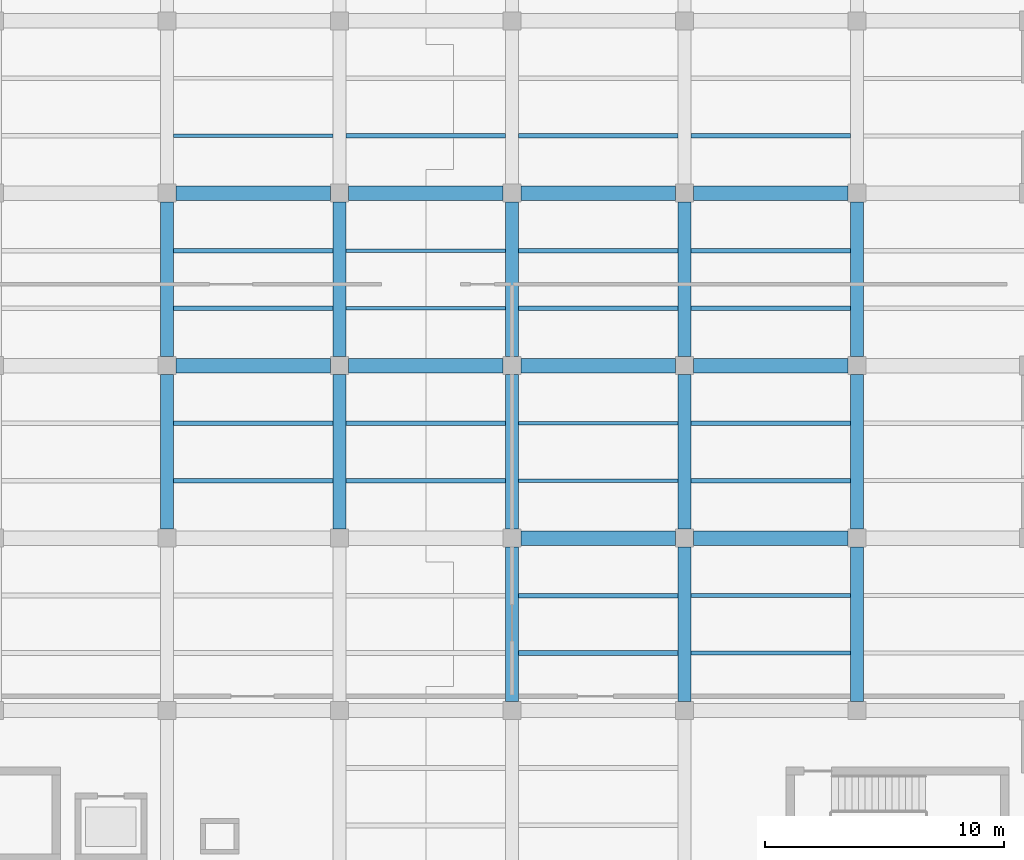
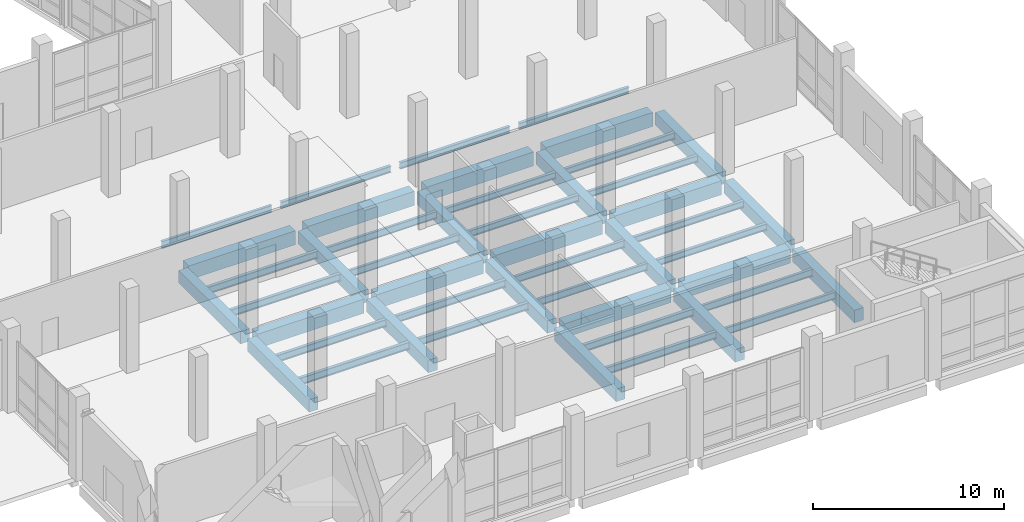
# One storey, part 65 of 137: 47 beams.
"""IFC4 building model written with IfcOpenShell, lengths in metres."""

from ifc_helpers import new_model, si_unit, direction, frame, origin, origin_2d, place, context, subcontext, project, spatial, rectangle, i_section, extrude, material, material_profile, profile_set, type_object, element, save


model = new_model("IFC4")

# Units and contexts
model_context = context("Model", 3, precision=1e-05, world=origin(), true_north=direction((0.0, 1.0)))
body_context = subcontext(model_context, "Body", "Model", "MODEL_VIEW")
ifc_project = project(units=[si_unit("LENGTHUNIT", "METRE"), si_unit("AREAUNIT", "SQUARE_METRE"), si_unit("VOLUMEUNIT", "CUBIC_METRE"), si_unit("PLANEANGLEUNIT", "RADIAN"), si_unit("MASSUNIT", "GRAM", prefix="KILO")], contexts=[model_context])

# Site, building, storey
site_placement = place(None, origin())
site = spatial("IfcSite", under=ifc_project, at=site_placement, CompositionType="ELEMENT")
building_placement = place(site_placement, origin())
building = spatial("IfcBuilding", under=site, at=building_placement, Name="Kalmorath City Hall", CompositionType="ELEMENT")
storey_placement = place(building_placement, origin())
storey = spatial("IfcBuildingStorey", under=building, at=storey_placement, Name="L00", CompositionType="ELEMENT", Elevation=0.0)

# Beams
ifc_material_1 = material(Name="Concrete C40/50", Category="concrete")
ifc_material_profile_1 = material_profile(ifc_material_1, rectangle(XDim=0.550048828125, YDim=0.800048828125, at=origin_2d()), Name="RC-BM-550X800")
ifc_profile_set_1 = profile_set([ifc_material_profile_1], Name="Concrete C40/50")
beam_type_1 = type_object("IfcBeamType", Name="Concrete floor girder 550x800", PredefinedType="BEAM", material=ifc_profile_set_1)
beam_1_placement = place(storey_placement, frame((129.60009765625, 14.77490234375, -0.7041015625), z_axis=(0.0, 1.0, 0.0), x_axis=(-1.0, 0.0, 0.0)))
element("IfcBeam", 1, at=beam_1_placement, inside=storey, type_object=beam_type_1, Name="L00 girder CB2 Y19/3-4", PredefinedType="BEAM", context=body_context, shape_type="SweptSolid", body=[
    extrude(rectangle(XDim=0.550048828125, YDim=0.800048828125, at=origin_2d()), origin(), (0.0, 0.0, 1.0), 6.4501953125),
])
beam_2_placement = place(storey_placement, frame((129.60009765625, 21.97509765625, -0.7041015625), z_axis=(0.0, 1.0, 0.0), x_axis=(-1.0, 0.0, 0.0)))
element("IfcBeam", 2, at=beam_2_placement, inside=storey, type_object=beam_type_1, Name="L00 girder CB2 Y19/4-5", PredefinedType="BEAM", context=body_context, shape_type="SweptSolid", body=[
    extrude(rectangle(XDim=0.550048828125, YDim=0.800048828125, at=origin_2d()), origin(), (0.0, 0.0, 1.0), 6.449951171875),
])
beam_3_placement = place(storey_placement, frame((136.800048828125, 14.77490234375, -0.7041015625), z_axis=(0.0, 1.0, 0.0), x_axis=(-1.0, 0.0, 0.0)))
element("IfcBeam", 3, at=beam_3_placement, inside=storey, type_object=beam_type_1, Name="L00 girder CB2 Y20/3-4", PredefinedType="BEAM", context=body_context, shape_type="SweptSolid", body=[
    extrude(rectangle(XDim=0.550048828125, YDim=0.800048828125, at=origin_2d()), origin(), (0.0, 0.0, 1.0), 6.4501953125),
])
for number, where, z_axis, x_axis, name in (
    (4, (136.800048828125, 21.97509765625, -0.7041015625), (0.0, 1.0, 0.0), (-1.0, 0.0, 0.0), "L00 girder CB2 Y20/4-5"),
    (5, (144.0, 7.574951171875, -0.7041015625), (0.0, 1.0, 0.0), (-1.0, 0.0, 0.0), "L00 girder CB2 Y21/2-3"),
):
    element("IfcBeam", number, at=place(storey_placement, frame(where, z_axis=z_axis, x_axis=x_axis)), inside=storey, type_object=beam_type_1, Name=name, PredefinedType="BEAM", context=body_context, shape_type="SweptSolid", body=[
        extrude(rectangle(XDim=0.550048828125, YDim=0.800048828125, at=origin_2d()), origin(), (0.0, 0.0, 1.0), 6.449951171875),
    ])
beam_4_placement = place(storey_placement, frame((144.0, 14.77490234375, -0.7041015625), z_axis=(0.0, 1.0, 0.0), x_axis=(-1.0, 0.0, 0.0)))
element("IfcBeam", 6, at=beam_4_placement, inside=storey, type_object=beam_type_1, Name="L00 girder CB2 Y21/3-4", PredefinedType="BEAM", context=body_context, shape_type="SweptSolid", body=[
    extrude(rectangle(XDim=0.550048828125, YDim=0.800048828125, at=origin_2d()), origin(), (0.0, 0.0, 1.0), 6.4501953125),
])
for number, where, z_axis, x_axis, name in (
    (7, (144.0, 21.97509765625, -0.7041015625), (0.0, 1.0, 0.0), (-1.0, 0.0, 0.0), "L00 girder CB2 Y21/4-5"),
    (8, (151.199951171875, 7.574951171875, -0.7041015625), (0.0, 1.0, 0.0), (-1.0, 0.0, 0.0), "L00 girder CB2 Y22/2-3"),
):
    element("IfcBeam", number, at=place(storey_placement, frame(where, z_axis=z_axis, x_axis=x_axis)), inside=storey, type_object=beam_type_1, Name=name, PredefinedType="BEAM", context=body_context, shape_type="SweptSolid", body=[
        extrude(rectangle(XDim=0.550048828125, YDim=0.800048828125, at=origin_2d()), origin(), (0.0, 0.0, 1.0), 6.449951171875),
    ])
beam_5_placement = place(storey_placement, frame((151.199951171875, 14.77490234375, -0.7041015625), z_axis=(0.0, 1.0, 0.0), x_axis=(-1.0, 0.0, 0.0)))
element("IfcBeam", 9, at=beam_5_placement, inside=storey, type_object=beam_type_1, Name="L00 girder CB2 Y22/3-4", PredefinedType="BEAM", context=body_context, shape_type="SweptSolid", body=[
    extrude(rectangle(XDim=0.550048828125, YDim=0.800048828125, at=origin_2d()), origin(), (0.0, 0.0, 1.0), 6.4501953125),
])
for number, where, z_axis, x_axis, name in (
    (10, (151.199951171875, 21.97509765625, -0.7041015625), (0.0, 1.0, 0.0), (-1.0, 0.0, 0.0), "L00 girder CB2 Y22/4-5"),
    (11, (158.39990234375, 7.574951171875, -0.7041015625), (0.0, 1.0, 0.0), (-1.0, 0.0, 0.0), "L00 girder CB2 Y23/2-3"),
):
    element("IfcBeam", number, at=place(storey_placement, frame(where, z_axis=z_axis, x_axis=x_axis)), inside=storey, type_object=beam_type_1, Name=name, PredefinedType="BEAM", context=body_context, shape_type="SweptSolid", body=[
        extrude(rectangle(XDim=0.550048828125, YDim=0.800048828125, at=origin_2d()), origin(), (0.0, 0.0, 1.0), 6.449951171875),
    ])
beam_6_placement = place(storey_placement, frame((158.39990234375, 14.77490234375, -0.7041015625), z_axis=(0.0, 1.0, 0.0), x_axis=(-1.0, 0.0, 0.0)))
element("IfcBeam", 12, at=beam_6_placement, inside=storey, type_object=beam_type_1, Name="L00 girder CB2 Y23/3-4", PredefinedType="BEAM", context=body_context, shape_type="SweptSolid", body=[
    extrude(rectangle(XDim=0.550048828125, YDim=0.800048828125, at=origin_2d()), origin(), (0.0, 0.0, 1.0), 6.4501953125),
])
beam_7_placement = place(storey_placement, frame((158.39990234375, 21.97509765625, -0.7041015625), z_axis=(0.0, 1.0, 0.0), x_axis=(-1.0, 0.0, 0.0)))
element("IfcBeam", 13, at=beam_7_placement, inside=storey, type_object=beam_type_1, Name="L00 girder CB2 Y23/4-5", PredefinedType="BEAM", context=body_context, shape_type="SweptSolid", body=[
    extrude(rectangle(XDim=0.550048828125, YDim=0.800048828125, at=origin_2d()), origin(), (0.0, 0.0, 1.0), 6.449951171875),
])
ifc_material_2 = material(Name="Concrete C40/50", Category="concrete")
ifc_material_profile_2 = material_profile(ifc_material_2, rectangle(XDim=0.60009765625, YDim=0.89990234375, at=origin_2d()), Name="RC-BM-600X900")
ifc_profile_set_2 = profile_set([ifc_material_profile_2], Name="Concrete C40/50")
beam_type_2 = type_object("IfcBeamType", Name="Concrete floor girder 600x900", PredefinedType="BEAM", material=ifc_profile_set_2)
for number, where, z_axis, x_axis, name in (
    (14, (144.375, 14.39990234375, -0.75390625), (1.0, 0.0, 0.0), (0.0, 1.0, 0.0), "L00 girder CB1 X21-22/3"),
    (15, (151.574951171875, 14.39990234375, -0.75390625), (1.0, 0.0, 0.0), (0.0, 1.0, 0.0), "L00 girder CB1 X22-23/3"),
    (16, (129.97509765625, 21.60009765625, -0.75390625), (1.0, 0.0, 0.0), (0.0, 1.0, 0.0), "L00 girder CB1 X19-20/4"),
    (17, (137.175048828125, 21.60009765625, -0.75390625), (1.0, 0.0, 0.0), (0.0, 1.0, 0.0), "L00 girder CB1 X20-21/4"),
    (18, (144.375, 21.60009765625, -0.75390625), (1.0, 0.0, 0.0), (0.0, 1.0, 0.0), "L00 girder CB1 X21-22/4"),
    (19, (151.574951171875, 21.60009765625, -0.75390625), (1.0, 0.0, 0.0), (0.0, 1.0, 0.0), "L00 girder CB1 X22-23/4"),
    (20, (129.97509765625, 28.800048828125, -0.75390625), (1.0, 0.0, 0.0), (0.0, 1.0, 0.0), "L00 girder CB1 X19-20/5"),
    (21, (137.175048828125, 28.800048828125, -0.75390625), (1.0, 0.0, 0.0), (0.0, 1.0, 0.0), "L00 girder CB1 X20-21/5"),
    (22, (144.375, 28.800048828125, -0.75390625), (1.0, 0.0, 0.0), (0.0, 1.0, 0.0), "L00 girder CB1 X21-22/5"),
    (23, (151.574951171875, 28.800048828125, -0.75390625), (1.0, 0.0, 0.0), (0.0, 1.0, 0.0), "L00 girder CB1 X22-23/5"),
):
    element("IfcBeam", number, at=place(storey_placement, frame(where, z_axis=z_axis, x_axis=x_axis)), inside=storey, type_object=beam_type_2, Name=name, PredefinedType="BEAM", context=body_context, shape_type="SweptSolid", body=[
        extrude(rectangle(XDim=0.60009765625, YDim=0.89990234375, at=origin_2d()), origin(), (0.0, 0.0, 1.0), 6.449951171875),
    ])
ifc_material_3 = material(Name="Steel ASTM A992 Grade 50", Category="steel")
ifc_material_profile_3 = material_profile(ifc_material_3, i_section(OverallWidth=0.177001953125, OverallDepth=0.403076171875, WebThickness=0.007568359375, FlangeThickness=0.010986328125, FilletRadius=0.012939453125, at=origin_2d()), Name="W16X36")
ifc_profile_set_3 = profile_set([ifc_material_profile_3], Name="Steel ASTM A992 Grade 50")
beam_type_3 = type_object("IfcBeamType", Name="Steel composite joist W16X36", PredefinedType="JOIST", material=ifc_profile_set_3)
beam_8_placement = place(storey_placement, frame((151.47509765625, 31.199951171875, -0.505615234375), z_axis=(1.0, 0.0, 0.0), x_axis=(0.0, 1.0, 0.0)))
element("IfcBeam", 24, at=beam_8_placement, inside=storey, type_object=beam_type_3, Name="L00 joist SJ7 22.5.1", PredefinedType="JOIST", context=body_context, shape_type="SweptSolid", body=[
    extrude(i_section(OverallWidth=0.177001953125, OverallDepth=0.403076171875, WebThickness=0.007568359375, FlangeThickness=0.010986328125, FilletRadius=0.012939453125, at=origin_2d()), origin(), (0.0, 0.0, 1.0), 6.64990234375),
])
ifc_material_4 = material(Name="Steel ASTM A992 Grade 50", Category="steel")
ifc_material_profile_4 = material_profile(ifc_material_4, i_section(OverallWidth=0.178955078125, OverallDepth=0.409912109375, WebThickness=0.0087890625, FlangeThickness=0.014404296875, FilletRadius=0.012939453125, at=origin_2d()), Name="W16X45")
ifc_profile_set_4 = profile_set([ifc_material_profile_4], Name="Steel ASTM A992 Grade 50")
beam_type_4 = type_object("IfcBeamType", Name="Steel composite joist W16X45", PredefinedType="JOIST", material=ifc_profile_set_4)
beam_9_placement = place(storey_placement, frame((144.27490234375, 31.199951171875, -0.509033203125), z_axis=(1.0, 0.0, 0.0), x_axis=(0.0, 1.0, 0.0)))
element("IfcBeam", 25, at=beam_9_placement, inside=storey, type_object=beam_type_4, Name="L00 joist SJ6 21.5.1", PredefinedType="JOIST", context=body_context, shape_type="SweptSolid", body=[
    extrude(i_section(OverallWidth=0.178955078125, OverallDepth=0.409912109375, WebThickness=0.0087890625, FlangeThickness=0.014404296875, FilletRadius=0.012939453125, at=origin_2d()), origin(), (0.0, 0.0, 1.0), 6.650146484375),
])
for number, where, z_axis, x_axis, name in (
    (26, (151.47509765625, 24.0, -0.509033203125), (1.0, 0.0, 0.0), (0.0, 1.0, 0.0), "L00 joist SJ6 22.4.1"),
    (27, (151.47509765625, 26.39990234375, -0.509033203125), (1.0, 0.0, 0.0), (0.0, 1.0, 0.0), "L00 joist SJ6 22.4.2"),
):
    element("IfcBeam", number, at=place(storey_placement, frame(where, z_axis=z_axis, x_axis=x_axis)), inside=storey, type_object=beam_type_4, Name=name, PredefinedType="JOIST", context=body_context, shape_type="SweptSolid", body=[
        extrude(i_section(OverallWidth=0.178955078125, OverallDepth=0.409912109375, WebThickness=0.0087890625, FlangeThickness=0.014404296875, FilletRadius=0.012939453125, at=origin_2d()), origin(), (0.0, 0.0, 1.0), 6.64990234375),
    ])
ifc_material_5 = material(Name="Steel ASTM A992 Grade 50", Category="steel")
ifc_material_profile_5 = material_profile(ifc_material_5, i_section(OverallWidth=0.180908203125, OverallDepth=0.4169921875, WebThickness=0.010986328125, FlangeThickness=0.018310546875, FilletRadius=0.012939453125, at=origin_2d()), Name="W16X57")
ifc_profile_set_5 = profile_set([ifc_material_profile_5], Name="Steel ASTM A992 Grade 50")
beam_type_5 = type_object("IfcBeamType", Name="Steel composite joist W16X57", PredefinedType="JOIST", material=ifc_profile_set_5)
for number, where, z_axis, x_axis, name in (
    (28, (137.074951171875, 31.199951171875, -0.512451171875), (1.0, 0.0, 0.0), (0.0, 1.0, 0.0), "L00 joist SJ5 20.5.1"),
    (29, (144.27490234375, 24.0, -0.512451171875), (1.0, 0.0, 0.0), (0.0, 1.0, 0.0), "L00 joist SJ5 21.4.1"),
    (30, (144.27490234375, 26.39990234375, -0.512451171875), (1.0, 0.0, 0.0), (0.0, 1.0, 0.0), "L00 joist SJ5 21.4.2"),
):
    element("IfcBeam", number, at=place(storey_placement, frame(where, z_axis=z_axis, x_axis=x_axis)), inside=storey, type_object=beam_type_5, Name=name, PredefinedType="JOIST", context=body_context, shape_type="SweptSolid", body=[
        extrude(i_section(OverallWidth=0.180908203125, OverallDepth=0.4169921875, WebThickness=0.010986328125, FlangeThickness=0.018310546875, FilletRadius=0.012939453125, at=origin_2d()), origin(), (0.0, 0.0, 1.0), 6.650146484375),
    ])
for number, where, z_axis, x_axis, name in (
    (31, (151.47509765625, 16.800048828125, -0.512451171875), (1.0, 0.0, 0.0), (0.0, 1.0, 0.0), "L00 joist SJ5 22.3.1"),
    (32, (151.47509765625, 19.199951171875, -0.512451171875), (1.0, 0.0, 0.0), (0.0, 1.0, 0.0), "L00 joist SJ5 22.3.2"),
):
    element("IfcBeam", number, at=place(storey_placement, frame(where, z_axis=z_axis, x_axis=x_axis)), inside=storey, type_object=beam_type_5, Name=name, PredefinedType="JOIST", context=body_context, shape_type="SweptSolid", body=[
        extrude(i_section(OverallWidth=0.180908203125, OverallDepth=0.4169921875, WebThickness=0.010986328125, FlangeThickness=0.018310546875, FilletRadius=0.012939453125, at=origin_2d()), origin(), (0.0, 0.0, 1.0), 6.64990234375),
    ])
ifc_material_6 = material(Name="Steel ASTM A992 Grade 50", Category="steel")
ifc_material_profile_6 = material_profile(ifc_material_6, i_section(OverallWidth=0.153076171875, OverallDepth=0.455078125, WebThickness=0.008056640625, FlangeThickness=0.01318359375, FilletRadius=0.013916015625, at=origin_2d()), Name="W18X40")
ifc_profile_set_6 = profile_set([ifc_material_profile_6], Name="Steel ASTM A992 Grade 50")
beam_type_6 = type_object("IfcBeamType", Name="Steel composite joist W18X40", PredefinedType="JOIST", material=ifc_profile_set_6)
beam_10_placement = place(storey_placement, frame((129.875, 31.199951171875, -0.531494140625), z_axis=(1.0, 0.0, 0.0), x_axis=(0.0, 1.0, 0.0)))
element("IfcBeam", 33, at=beam_10_placement, inside=storey, type_object=beam_type_6, Name="L00 joist SJ4 19.5.1", PredefinedType="JOIST", context=body_context, shape_type="SweptSolid", body=[
    extrude(i_section(OverallWidth=0.153076171875, OverallDepth=0.455078125, WebThickness=0.008056640625, FlangeThickness=0.01318359375, FilletRadius=0.013916015625, at=origin_2d()), origin(), (0.0, 0.0, 1.0), 6.64990234375),
])
for number, where, z_axis, x_axis, name in (
    (34, (137.074951171875, 24.0, -0.531494140625), (1.0, 0.0, 0.0), (0.0, 1.0, 0.0), "L00 joist SJ4 20.4.1"),
    (35, (137.074951171875, 26.39990234375, -0.531494140625), (1.0, 0.0, 0.0), (0.0, 1.0, 0.0), "L00 joist SJ4 20.4.2"),
    (36, (144.27490234375, 16.800048828125, -0.531494140625), (1.0, 0.0, 0.0), (0.0, 1.0, 0.0), "L00 joist SJ4 21.3.1"),
    (37, (144.27490234375, 19.199951171875, -0.531494140625), (1.0, 0.0, 0.0), (0.0, 1.0, 0.0), "L00 joist SJ4 21.3.2"),
):
    element("IfcBeam", number, at=place(storey_placement, frame(where, z_axis=z_axis, x_axis=x_axis)), inside=storey, type_object=beam_type_6, Name=name, PredefinedType="JOIST", context=body_context, shape_type="SweptSolid", body=[
        extrude(i_section(OverallWidth=0.153076171875, OverallDepth=0.455078125, WebThickness=0.008056640625, FlangeThickness=0.01318359375, FilletRadius=0.013916015625, at=origin_2d()), origin(), (0.0, 0.0, 1.0), 6.650146484375),
    ])
for number, where, z_axis, x_axis, name in (
    (38, (151.47509765625, 9.60009765625, -0.531494140625), (1.0, 0.0, 0.0), (0.0, 1.0, 0.0), "L00 joist SJ4 22.2.1"),
    (39, (151.47509765625, 12.0, -0.531494140625), (1.0, 0.0, 0.0), (0.0, 1.0, 0.0), "L00 joist SJ4 22.2.2"),
):
    element("IfcBeam", number, at=place(storey_placement, frame(where, z_axis=z_axis, x_axis=x_axis)), inside=storey, type_object=beam_type_6, Name=name, PredefinedType="JOIST", context=body_context, shape_type="SweptSolid", body=[
        extrude(i_section(OverallWidth=0.153076171875, OverallDepth=0.455078125, WebThickness=0.008056640625, FlangeThickness=0.01318359375, FilletRadius=0.013916015625, at=origin_2d()), origin(), (0.0, 0.0, 1.0), 6.64990234375),
    ])
ifc_material_7 = material(Name="Steel ASTM A992 Grade 50", Category="steel")
ifc_material_profile_7 = material_profile(ifc_material_7, i_section(OverallWidth=0.19091796875, OverallDepth=0.45703125, WebThickness=0.009033203125, FlangeThickness=0.014404296875, FilletRadius=0.013916015625, at=origin_2d()), Name="W18X50")
ifc_profile_set_7 = profile_set([ifc_material_profile_7], Name="Steel ASTM A992 Grade 50")
beam_type_7 = type_object("IfcBeamType", Name="Steel composite joist W18X50", PredefinedType="JOIST", material=ifc_profile_set_7)
for number, where, z_axis, x_axis, name in (
    (40, (129.875, 24.0, -0.532470703125), (1.0, 0.0, 0.0), (0.0, 1.0, 0.0), "L00 joist SJ3 19.4.1"),
    (41, (129.875, 26.39990234375, -0.532470703125), (1.0, 0.0, 0.0), (0.0, 1.0, 0.0), "L00 joist SJ3 19.4.2"),
):
    element("IfcBeam", number, at=place(storey_placement, frame(where, z_axis=z_axis, x_axis=x_axis)), inside=storey, type_object=beam_type_7, Name=name, PredefinedType="JOIST", context=body_context, shape_type="SweptSolid", body=[
        extrude(i_section(OverallWidth=0.19091796875, OverallDepth=0.45703125, WebThickness=0.009033203125, FlangeThickness=0.014404296875, FilletRadius=0.013916015625, at=origin_2d()), origin(), (0.0, 0.0, 1.0), 6.64990234375),
    ])
for number, where, z_axis, x_axis, name in (
    (42, (137.074951171875, 16.800048828125, -0.532470703125), (1.0, 0.0, 0.0), (0.0, 1.0, 0.0), "L00 joist SJ3 20.3.1"),
    (43, (137.074951171875, 19.199951171875, -0.532470703125), (1.0, 0.0, 0.0), (0.0, 1.0, 0.0), "L00 joist SJ3 20.3.2"),
    (44, (144.27490234375, 9.60009765625, -0.532470703125), (1.0, 0.0, 0.0), (0.0, 1.0, 0.0), "L00 joist SJ3 21.2.1"),
    (45, (144.27490234375, 12.0, -0.532470703125), (1.0, 0.0, 0.0), (0.0, 1.0, 0.0), "L00 joist SJ3 21.2.2"),
):
    element("IfcBeam", number, at=place(storey_placement, frame(where, z_axis=z_axis, x_axis=x_axis)), inside=storey, type_object=beam_type_7, Name=name, PredefinedType="JOIST", context=body_context, shape_type="SweptSolid", body=[
        extrude(i_section(OverallWidth=0.19091796875, OverallDepth=0.45703125, WebThickness=0.009033203125, FlangeThickness=0.014404296875, FilletRadius=0.013916015625, at=origin_2d()), origin(), (0.0, 0.0, 1.0), 6.650146484375),
    ])
ifc_material_8 = material(Name="Steel ASTM A992 Grade 50", Category="steel")
ifc_material_profile_8 = material_profile(ifc_material_8, i_section(OverallWidth=0.19091796875, OverallDepth=0.4599609375, WebThickness=0.010009765625, FlangeThickness=0.01611328125, FilletRadius=0.013916015625, at=origin_2d()), Name="W18X55")
ifc_profile_set_8 = profile_set([ifc_material_profile_8], Name="Steel ASTM A992 Grade 50")
beam_type_8 = type_object("IfcBeamType", Name="Steel composite joist W18X55", PredefinedType="JOIST", material=ifc_profile_set_8)
for number, where, z_axis, x_axis, name in (
    (46, (129.875, 16.800048828125, -0.533935546875), (1.0, 0.0, 0.0), (0.0, 1.0, 0.0), "L00 joist SJ2 19.3.1"),
    (47, (129.875, 19.199951171875, -0.533935546875), (1.0, 0.0, 0.0), (0.0, 1.0, 0.0), "L00 joist SJ2 19.3.2"),
):
    element("IfcBeam", number, at=place(storey_placement, frame(where, z_axis=z_axis, x_axis=x_axis)), inside=storey, type_object=beam_type_8, Name=name, PredefinedType="JOIST", context=body_context, shape_type="SweptSolid", body=[
        extrude(i_section(OverallWidth=0.19091796875, OverallDepth=0.4599609375, WebThickness=0.010009765625, FlangeThickness=0.01611328125, FilletRadius=0.013916015625, at=origin_2d()), origin(), (0.0, 0.0, 1.0), 6.64990234375),
    ])

save(model, "model.ifc")
